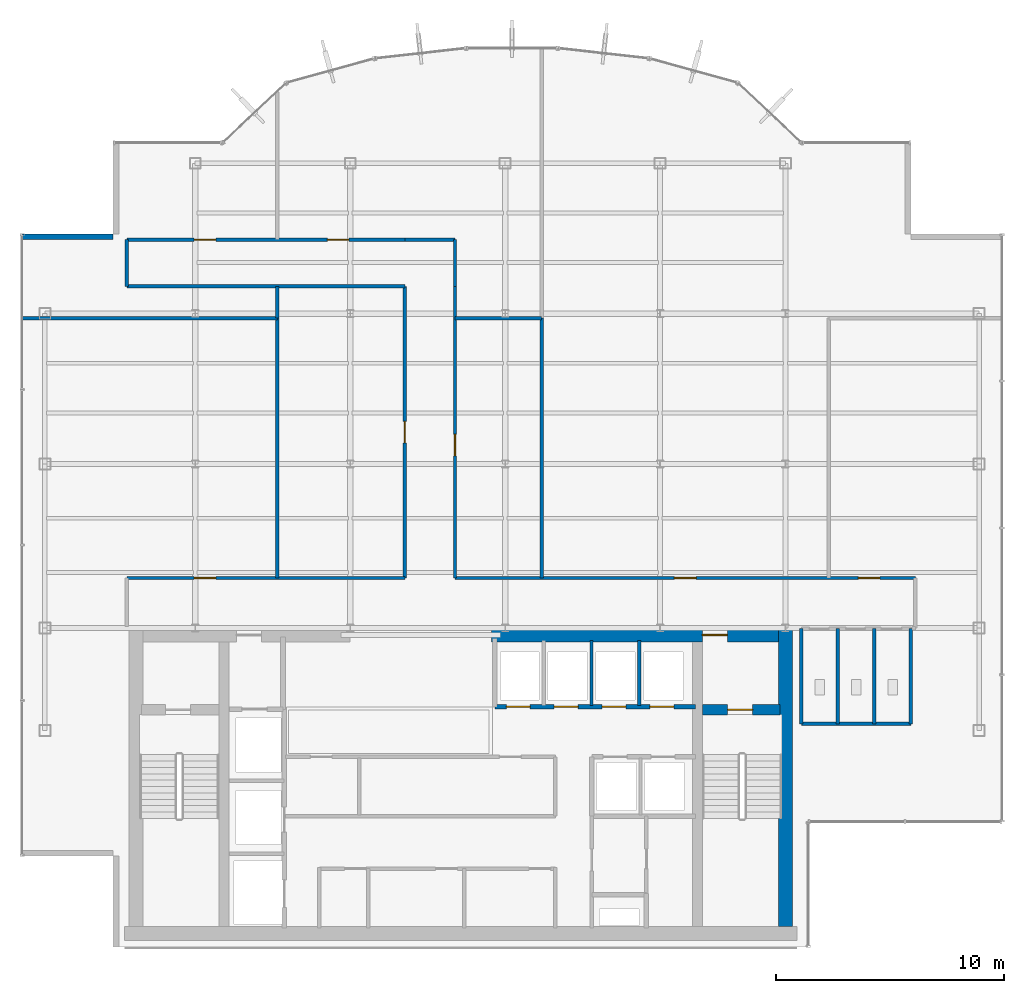
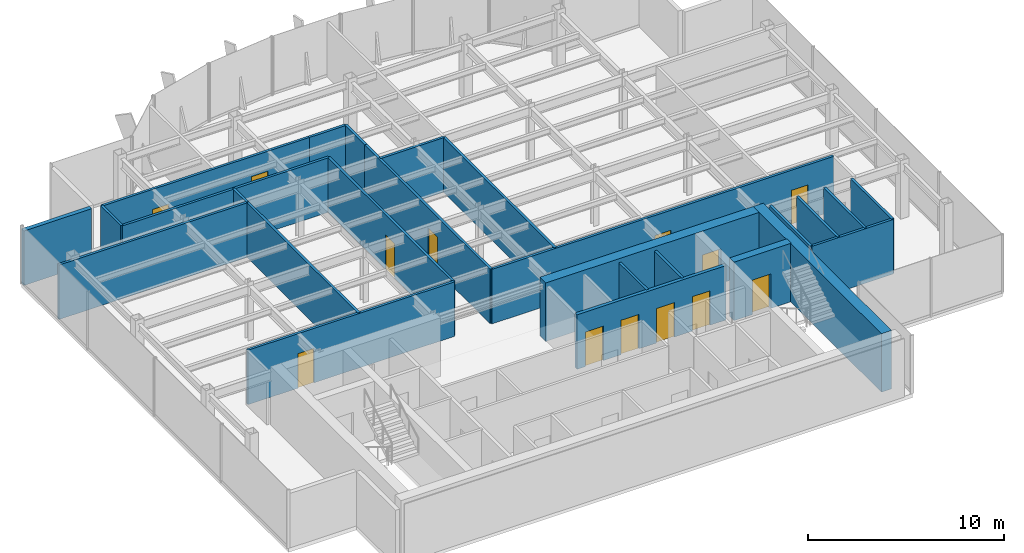
# One storey, part 18 of 22: 26 walls, 13 doors, 13 openings.
"""IFC4 building model written with IfcOpenShell, lengths in metres."""

from ifc_helpers import new_model, si_unit, derived_unit, direction, frame, frame_2d, origin, place, context, subcontext, project, spatial, rectangle, extrude, source, transform, mapped, material, layer, layer_set, type_object, element, fill, save


model = new_model("IFC4")

# Units and contexts
model_context = context("Model", 3, precision=1e-05, world=origin(), true_north=direction((0.0, 1.0)))
body_context = subcontext(model_context, "Body", "Model", "MODEL_VIEW")
ifc_project = project(units=[si_unit("LENGTHUNIT", "METRE"), si_unit("AREAUNIT", "SQUARE_METRE"), si_unit("VOLUMEUNIT", "CUBIC_METRE"), si_unit("PLANEANGLEUNIT", "RADIAN"), si_unit("MASSUNIT", "GRAM", prefix="KILO"), derived_unit("THERMALTRANSMITTANCEUNIT", [(si_unit("POWERUNIT", "WATT"), 1), (si_unit("LENGTHUNIT", "METRE"), -2), (si_unit("THERMODYNAMICTEMPERATUREUNIT", "KELVIN"), -1)])], contexts=[model_context])

# Site, building, storey
site_placement = place(None, origin())
site = spatial("IfcSite", under=ifc_project, at=site_placement, CompositionType="ELEMENT")
building_placement = place(site_placement, origin())
building = spatial("IfcBuilding", under=site, at=building_placement, Name="Skarnbrae Concourse Arena and Tower", CompositionType="ELEMENT")
storey_placement = place(building_placement, frame((0.0, 0.0, 192.25)))
storey = spatial("IfcBuildingStorey", under=building, at=storey_placement, Name="L49", CompositionType="ELEMENT", Elevation=192.25)

# Wall, opening, door
ifc_material_1 = material(Name="Concrete 50 MPa (C50/60)", Category="concrete")
ifc_layer_1 = layer(ifc_material_1, 0.449951171875)
ifc_layer_set_1 = layer_set([ifc_layer_1], Name="Concrete 50 MPa (C50/60)")
wall_type_1 = type_object("IfcWallType", Name="WALL-CORE-450-C50", PredefinedType="SHEAR", material=ifc_layer_set_1)
shared_shape_1 = source(origin(), body_context, "Body", "SweptSolid", [
    extrude(rectangle(XDim=3.389892578125, YDim=0.449951171875, at=frame_2d((1.69482421875, 0.0))), origin(), (0.0, 0.0, 1.0), 3.64990234375),
])
wall_1_placement = place(storey_placement, frame((29.860107421875, 10.419921875, 0.0), z_axis=(0.0, 0.0, 1.0), x_axis=(1.0, 0.0, 0.0)))
wall_1 = element("IfcWall", 1, at=wall_1_placement, inside=storey, type_object=wall_type_1, Name="L49 Rear core shear wall CW-ST2-N", PredefinedType="SHEAR", context=body_context, shape_type="MappedRepresentation", body=[
    mapped(shared_shape_1, transform((0.0, 0.0, 0.0))),
])
opening_1_placement = place(wall_1_placement, frame((1.10009765625, 0.0, 0.0)))
opening_1 = element("IfcOpeningElement", 2, at=opening_1_placement, cuts=wall_1, Name="Opening DT-03", PredefinedType="OPENING", context=body_context, shape_type="SweptSolid", body=[
    extrude(rectangle(XDim=1.10009765625, YDim=2.14990234375, at=frame_2d((0.550048828125, 1.074951171875))), frame((0.0, 0.23486328125, 0.0), z_axis=(0.0, -1.0, 0.0), x_axis=(1.0, 0.0, 0.0)), (0.0, 0.0, 1.0), 0.469970703125),
])
ifc_material_2 = material(Name="Steel CSA G40.21 350W", Category="steel")
door_type_1 = type_object("IfcDoorType", Name="DOOR-FIRE-1100-90M", OperationType="NOTDEFINED", PredefinedType="DOOR", material=ifc_material_2)
shared_shape_2 = source(origin(), body_context, "Body", "SweptSolid", [
    extrude(rectangle(XDim=1.10009765625, YDim=2.14990234375, at=frame_2d((0.550048828125, 1.074951171875))), frame((0.0, 0.02490234375, 0.0), z_axis=(0.0, -1.0, 0.0), x_axis=(1.0, 0.0, 0.0)), (0.0, 0.0, 1.0), 0.050048828125),
])
door_1_placement = place(opening_1_placement, frame((1.10009765625, 0.0, 0.0), z_axis=(0.0, 0.0, 1.0), x_axis=(-1.0, 0.0, 0.0)))
door_1 = element("IfcDoor", 3, at=door_1_placement, inside=storey, type_object=door_type_1, Name="D-1496 Stair ST-2 Door", OperationType="SINGLE_SWING_RIGHT", OverallHeight=2.14990234375, OverallWidth=1.10009765625, PredefinedType="DOOR", context=body_context, shape_type="MappedRepresentation", body=[
    mapped(shared_shape_2, transform((0.0, 0.0, 0.0))),
])
fill(opening_1, door_1)

# Wall
ifc_layer_2 = layer(ifc_material_1, 0.60009765625)
ifc_layer_set_2 = layer_set([ifc_layer_2], Name="Concrete 50 MPa (C50/60)")
wall_type_2 = type_object("IfcWallType", Name="WALL-CORE-600-C50", PredefinedType="SHEAR", material=ifc_layer_set_2)
shared_shape_3 = source(origin(), body_context, "Body", "SweptSolid", [
    extrude(rectangle(XDim=13.10009765625, YDim=0.60009765625, at=frame_2d((6.550048828125, 0.0))), origin(), (0.0, 0.0, 1.0), 3.64990234375),
])
wall_2_placement = place(storey_placement, frame((33.5, 0.89990234375, 0.0), z_axis=(0.0, 0.0, 1.0), x_axis=(0.0, 1.0, 0.0)))
element("IfcWall", 4, at=wall_2_placement, inside=storey, type_object=wall_type_2, Name="L49 Rear core shear wall CW-E", PredefinedType="SHEAR", context=body_context, shape_type="MappedRepresentation", body=[
    mapped(shared_shape_3, transform((0.0, 0.0, 0.0))),
])

# Wall, opening, door
shared_shape_4 = source(origin(), body_context, "Body", "SweptSolid", [
    extrude(rectangle(XDim=12.599853515625, YDim=0.60009765625, at=frame_2d((6.2998046875, 0.0))), origin(), (0.0, 0.0, 1.0), 3.64990234375),
])
wall_3_placement = place(storey_placement, frame((20.60009765625, 13.699951171875, 0.0), z_axis=(0.0, 0.0, 1.0), x_axis=(1.0, 0.0, 0.0)))
wall_3 = element("IfcWall", 5, at=wall_3_placement, inside=storey, type_object=wall_type_2, Name="L49 Rear core shear wall CW-NE", PredefinedType="SHEAR", context=body_context, shape_type="MappedRepresentation", body=[
    mapped(shared_shape_4, transform((0.0, 0.0, 0.0))),
])
opening_2_placement = place(wall_3_placement, frame((9.25, 0.0, 0.0)))
opening_2 = element("IfcOpeningElement", 6, at=opening_2_placement, cuts=wall_3, Name="Opening DT-03", PredefinedType="OPENING", context=body_context, shape_type="SweptSolid", body=[
    extrude(rectangle(XDim=1.10009765625, YDim=2.14990234375, at=frame_2d((0.550048828125, 1.074951171875))), frame((0.0, 0.31005859375, 0.0), z_axis=(0.0, -1.0, 0.0), x_axis=(1.0, 0.0, 0.0)), (0.0, 0.0, 1.0), 0.6201171875),
])
door_2_placement = place(opening_2_placement, origin())
door_2 = element("IfcDoor", 7, at=door_2_placement, inside=storey, type_object=door_type_1, Name="D-1498 Stair ST-2 Vestibule Door", OperationType="SINGLE_SWING_LEFT", OverallHeight=2.14990234375, OverallWidth=1.10009765625, PredefinedType="DOOR", context=body_context, shape_type="MappedRepresentation", body=[
    mapped(shared_shape_2, transform((0.0, 0.0, 0.0))),
])
fill(opening_2, door_2)

# Wall
ifc_material_3 = material(Name="Precast concrete 40 MPa (C40/50)", Category="concrete")
ifc_layer_3 = layer(ifc_material_3, 0.25)
ifc_layer_set_3 = layer_set([ifc_layer_3], Name="Precast concrete 40 MPa (C40/50)")
wall_type_3 = type_object("IfcWallType", Name="WALL-EXT-SPANDREL-250", PredefinedType="STANDARD", material=ifc_layer_set_3)
shared_shape_5 = source(origin(), body_context, "Body", "SweptSolid", [
    extrude(rectangle(XDim=4.0, YDim=0.25, at=frame_2d((2.0, 0.0))), origin(), (0.0, 0.0, 1.0), 3.39990234375),
])
wall_4_placement = place(storey_placement, frame((4.0, 31.175048828125, 0.0), z_axis=(0.0, 0.0, 1.0), x_axis=(-1.0, 0.0, 0.0)))
element("IfcWall", 8, at=wall_4_placement, inside=storey, type_object=wall_type_3, Name="L49 Notched corner insulated return wall 17", PredefinedType="STANDARD", context=body_context, shape_type="MappedRepresentation", body=[
    mapped(shared_shape_5, transform((0.0, 0.0, 0.0))),
])

# Wall, openings, doors
ifc_material_4 = material(Name="Gypsum board on cold-formed steel studs", Category="steel")
ifc_layer_4 = layer(ifc_material_4, 0.199951171875)
ifc_layer_set_4 = layer_set([ifc_layer_4], Name="Gypsum board on cold-formed steel studs")
wall_type_4 = type_object("IfcWallType", Name="WALL-PART-200-2HR", PredefinedType="PARTITIONING", material=ifc_layer_set_4)
shared_shape_6 = source(origin(), body_context, "Body", "SweptSolid", [
    extrude(rectangle(XDim=8.800048828125, YDim=0.199951171875, at=frame_2d((4.39990234375, 0.0))), origin(), (0.0, 0.0, 1.0), 3.39990234375),
])
wall_5_placement = place(storey_placement, frame((20.75, 10.550048828125, 0.0), z_axis=(0.0, 0.0, 1.0), x_axis=(1.0, 0.0, 0.0)))
wall_5 = element("IfcWall", 9, at=wall_5_placement, inside=storey, type_object=wall_type_4, Name="L49 Interior partition wall W-L49-B3N-S", PredefinedType="PARTITIONING", context=body_context, shape_type="MappedRepresentation", body=[
    mapped(shared_shape_6, transform((0.0, 0.0, 0.0))),
])
opening_3_placement = place(wall_5_placement, frame((0.5, 0.0, 0.0)))
opening_3 = element("IfcOpeningElement", 10, at=opening_3_placement, cuts=wall_5, Name="Opening LD-04", PredefinedType="OPENING", context=body_context, shape_type="SweptSolid", body=[
    extrude(rectangle(XDim=1.050048828125, YDim=2.14990234375, at=frame_2d((0.52490234375, 1.074951171875))), frame((0.0, 0.10986328125, 0.0), z_axis=(0.0, -1.0, 0.0), x_axis=(1.0, 0.0, 0.0)), (0.0, 0.0, 1.0), 0.219970703125),
])
opening_4_placement = place(wall_5_placement, frame((2.60009765625, 0.0, 0.0)))
opening_4 = element("IfcOpeningElement", 11, at=opening_4_placement, cuts=wall_5, Name="Opening LD-04", PredefinedType="OPENING", context=body_context, shape_type="SweptSolid", body=[
    extrude(rectangle(XDim=1.050048828125, YDim=2.14990234375, at=frame_2d((0.52490234375, 1.074951171875))), frame((0.0, 0.10986328125, 0.0), z_axis=(0.0, -1.0, 0.0), x_axis=(1.0, 0.0, 0.0)), (0.0, 0.0, 1.0), 0.219970703125),
])
opening_5_placement = place(wall_5_placement, frame((4.699951171875, 0.0, 0.0)))
opening_5 = element("IfcOpeningElement", 12, at=opening_5_placement, cuts=wall_5, Name="Opening LD-04", PredefinedType="OPENING", context=body_context, shape_type="SweptSolid", body=[
    extrude(rectangle(XDim=1.050048828125, YDim=2.14990234375, at=frame_2d((0.52490234375, 1.074951171875))), frame((0.0, 0.10986328125, 0.0), z_axis=(0.0, -1.0, 0.0), x_axis=(1.0, 0.0, 0.0)), (0.0, 0.0, 1.0), 0.219970703125),
])
opening_6_placement = place(wall_5_placement, frame((6.800048828125, 0.0, 0.0)))
opening_6 = element("IfcOpeningElement", 13, at=opening_6_placement, cuts=wall_5, Name="Opening LD-04", PredefinedType="OPENING", context=body_context, shape_type="SweptSolid", body=[
    extrude(rectangle(XDim=1.050048828125, YDim=2.14990234375, at=frame_2d((0.52490234375, 1.074951171875))), frame((0.0, 0.10986328125, 0.0), z_axis=(0.0, -1.0, 0.0), x_axis=(1.0, 0.0, 0.0)), (0.0, 0.0, 1.0), 0.219970703125),
])
ifc_material_5 = material(Name="Bronze anodised aluminium 6063-T6", Category="aluminium")
door_type_2 = type_object("IfcDoorType", Name="DOOR-LIFT-SLIDE-1050H", OperationType="SLIDING_TO_LEFT", PredefinedType="DOOR", material=ifc_material_5)
shared_shape_7 = source(origin(), body_context, "Body", "SweptSolid", [
    extrude(rectangle(XDim=1.050048828125, YDim=2.14990234375, at=frame_2d((0.52490234375, 1.074951171875))), frame((0.0, 0.02490234375, 0.0), z_axis=(0.0, -1.0, 0.0), x_axis=(1.0, 0.0, 0.0)), (0.0, 0.0, 1.0), 0.050048828125),
])
door_3_placement = place(opening_3_placement, frame((1.050048828125, 0.0, 0.0), z_axis=(0.0, 0.0, 1.0), x_axis=(-1.0, 0.0, 0.0)))
door_3 = element("IfcDoor", 14, at=door_3_placement, inside=storey, type_object=door_type_2, Name="D-1507 Passenger Lift Landing Door PL-3A", OperationType="SLIDING_TO_LEFT", OverallHeight=2.14990234375, OverallWidth=1.050048828125, PredefinedType="DOOR", context=body_context, shape_type="MappedRepresentation", body=[
    mapped(shared_shape_7, transform((0.0, 0.0, 0.0))),
])
fill(opening_3, door_3)
door_4_placement = place(opening_4_placement, frame((1.050048828125, 0.0, 0.0), z_axis=(0.0, 0.0, 1.0), x_axis=(-1.0, 0.0, 0.0)))
door_4 = element("IfcDoor", 15, at=door_4_placement, inside=storey, type_object=door_type_2, Name="D-1508 Passenger Lift Landing Door PL-3B", OperationType="SLIDING_TO_LEFT", OverallHeight=2.14990234375, OverallWidth=1.050048828125, PredefinedType="DOOR", context=body_context, shape_type="MappedRepresentation", body=[
    mapped(shared_shape_7, transform((0.0, 0.0, 0.0))),
])
fill(opening_4, door_4)
door_5_placement = place(opening_5_placement, frame((1.050048828125, 0.0, 0.0), z_axis=(0.0, 0.0, 1.0), x_axis=(-1.0, 0.0, 0.0)))
door_5 = element("IfcDoor", 16, at=door_5_placement, inside=storey, type_object=door_type_2, Name="D-1509 Passenger Lift Landing Door PL-3C", OperationType="SLIDING_TO_LEFT", OverallHeight=2.14990234375, OverallWidth=1.050048828125, PredefinedType="DOOR", context=body_context, shape_type="MappedRepresentation", body=[
    mapped(shared_shape_7, transform((0.0, 0.0, 0.0))),
])
fill(opening_5, door_5)
door_6_placement = place(opening_6_placement, frame((1.050048828125, 0.0, 0.0), z_axis=(0.0, 0.0, 1.0), x_axis=(-1.0, 0.0, 0.0)))
door_6 = element("IfcDoor", 17, at=door_6_placement, inside=storey, type_object=door_type_2, Name="D-1510 Passenger Lift Landing Door PL-3D", OperationType="SLIDING_TO_LEFT", OverallHeight=2.14990234375, OverallWidth=1.050048828125, PredefinedType="DOOR", context=body_context, shape_type="MappedRepresentation", body=[
    mapped(shared_shape_7, transform((0.0, 0.0, 0.0))),
])
fill(opening_6, door_6)

# Walls
ifc_layer_5 = layer(ifc_material_4, 0.14990234375)
ifc_layer_set_5 = layer_set([ifc_layer_5], Name="Gypsum board on cold-formed steel studs")
wall_type_5 = type_object("IfcWallType", Name="WALL-PART-150", PredefinedType="PARTITIONING", material=ifc_layer_set_5)
shared_shape_8 = source(origin(), body_context, "Body", "SweptSolid", [
    extrude(rectangle(XDim=2.849853515625, YDim=0.14990234375, at=frame_2d((1.4248046875, 0.0))), origin(), (0.0, 0.0, 1.0), 3.39990234375),
])
for number, where, z_axis, x_axis, name in (
    (18, (24.989990234375, 10.60009765625, 0.0), (0.0, 0.0, 1.0), (0.0, 1.0, 0.0), "L49 Interior partition wall W-L49-B3N-P2"),
    (19, (27.090087890625, 10.60009765625, 0.0), (0.0, 0.0, 1.0), (0.0, 1.0, 0.0), "L49 Interior partition wall W-L49-B3N-P3"),
):
    element("IfcWall", number, at=place(storey_placement, frame(where, z_axis=z_axis, x_axis=x_axis)), inside=storey, type_object=wall_type_5, Name=name, PredefinedType="PARTITIONING", context=body_context, shape_type="MappedRepresentation", body=[
        mapped(shared_shape_8, transform((0.0, 0.0, 0.0))),
    ])
shared_shape_9 = source(origin(), body_context, "Body", "SweptSolid", [
    extrude(rectangle(XDim=4.800048828125, YDim=0.14990234375, at=frame_2d((2.39990234375, 0.0))), origin(), (0.0, 0.0, 1.0), 3.39990234375),
])
wall_6_placement = place(storey_placement, frame((34.199951171875, 9.800048828125, 0.0), z_axis=(0.0, 0.0, 1.0), x_axis=(1.0, 0.0, 0.0)))
element("IfcWall", 20, at=wall_6_placement, inside=storey, type_object=wall_type_5, Name="L49 Interior partition wall W-L49-WC-S", PredefinedType="PARTITIONING", context=body_context, shape_type="MappedRepresentation", body=[
    mapped(shared_shape_9, transform((0.0, 0.0, 0.0))),
])
shared_shape_10 = source(origin(), body_context, "Body", "SweptSolid", [
    extrude(rectangle(XDim=4.179931640625, YDim=0.14990234375, at=frame_2d((2.08984375, 0.0))), origin(), (0.0, 0.0, 1.0), 3.39990234375),
])
for number, where, z_axis, x_axis, name in (
    (21, (39.0, 9.800048828125, 0.0), (0.0, 0.0, 1.0), (0.0, 1.0, 0.0), "L49 Interior partition wall W-L49-WC-E"),
    (22, (34.199951171875, 9.800048828125, 0.0), (0.0, 0.0, 1.0), (0.0, 1.0, 0.0), "L49 Interior partition wall W-L49-WC-W"),
    (23, (35.800048828125, 9.800048828125, 0.0), (0.0, 0.0, 1.0), (0.0, 1.0, 0.0), "L49 Interior partition wall W-L49-WC-D1"),
    (24, (37.39990234375, 9.800048828125, 0.0), (0.0, 0.0, 1.0), (0.0, 1.0, 0.0), "L49 Interior partition wall W-L49-WC-D2"),
):
    element("IfcWall", number, at=place(storey_placement, frame(where, z_axis=z_axis, x_axis=x_axis)), inside=storey, type_object=wall_type_5, Name=name, PredefinedType="PARTITIONING", context=body_context, shape_type="MappedRepresentation", body=[
        mapped(shared_shape_10, transform((0.0, 0.0, 0.0))),
    ])
ifc_layer_6 = layer(ifc_material_4, 0.14990234375)
ifc_layer_set_6 = layer_set([ifc_layer_6], Name="Gypsum board on cold-formed steel studs")
wall_type_6 = type_object("IfcWallType", Name="WALL-PART-150-1HR", PredefinedType="PARTITIONING", material=ifc_layer_set_6)
shared_shape_11 = source(origin(), body_context, "Body", "SweptSolid", [
    extrude(rectangle(XDim=2.050048828125, YDim=0.14990234375, at=frame_2d((1.02490234375, 0.0))), origin(), (0.0, 0.0, 1.0), 3.39990234375),
])
for number, where, z_axis, x_axis, name in (
    (25, (4.60009765625, 29.0, 0.0), (0.0, 0.0, 1.0), (0.0, 1.0, 0.0), "L49 Interior partition wall W-L49-COR-05"),
    (26, (19.0, 31.050048828125, 0.0), (0.0, 0.0, 1.0), (0.0, -1.0, 0.0), "L49 Interior partition wall W-L49-COR-08"),
):
    element("IfcWall", number, at=place(storey_placement, frame(where, z_axis=z_axis, x_axis=x_axis)), inside=storey, type_object=wall_type_6, Name=name, PredefinedType="PARTITIONING", context=body_context, shape_type="MappedRepresentation", body=[
        mapped(shared_shape_11, transform((0.0, 0.0, 0.0))),
    ])
shared_shape_12 = source(origin(), body_context, "Body", "SweptSolid", [
    extrude(rectangle(XDim=2.199951171875, YDim=0.14990234375, at=frame_2d((1.10009765625, 0.0))), origin(), (0.0, 0.0, 1.0), 3.39990234375),
])
wall_7_placement = place(storey_placement, frame((16.800048828125, 31.050048828125, 0.0), z_axis=(0.0, 0.0, 1.0), x_axis=(1.0, 0.0, 0.0)))
element("IfcWall", 27, at=wall_7_placement, inside=storey, type_object=wall_type_6, Name="L49 Interior partition wall W-L49-COR-07", PredefinedType="PARTITIONING", context=body_context, shape_type="MappedRepresentation", body=[
    mapped(shared_shape_12, transform((0.0, 0.0, 0.0))),
])

# Wall, opening, door
shared_shape_13 = source(origin(), body_context, "Body", "SweptSolid", [
    extrude(rectangle(XDim=12.199951171875, YDim=0.14990234375, at=frame_2d((6.10009765625, 0.0))), origin(), (0.0, 0.0, 1.0), 3.39990234375),
])
wall_8_placement = place(storey_placement, frame((4.60009765625, 16.199951171875, 0.0), z_axis=(0.0, 0.0, 1.0), x_axis=(1.0, 0.0, 0.0)))
wall_8 = element("IfcWall", 28, at=wall_8_placement, inside=storey, type_object=wall_type_6, Name="L49 Interior partition wall W-L49-COR-02", PredefinedType="PARTITIONING", context=body_context, shape_type="MappedRepresentation", body=[
    mapped(shared_shape_13, transform((0.0, 0.0, 0.0))),
])
opening_7_placement = place(wall_8_placement, frame((2.955078125, 0.0, 0.0)))
opening_7 = element("IfcOpeningElement", 29, at=opening_7_placement, cuts=wall_8, Name="Opening DT-04", PredefinedType="OPENING", context=body_context, shape_type="SweptSolid", body=[
    extrude(rectangle(XDim=0.949951171875, YDim=2.14990234375, at=frame_2d((0.47509765625, 1.074951171875))), frame((0.0, 0.0849609375, 0.0), z_axis=(0.0, -1.0, 0.0), x_axis=(1.0, 0.0, 0.0)), (0.0, 0.0, 1.0), 0.169921875),
])
door_type_3 = type_object("IfcDoorType", Name="DOOR-INT-950-45M", OperationType="NOTDEFINED", PredefinedType="DOOR", material=ifc_material_2)
shared_shape_14 = source(origin(), body_context, "Body", "SweptSolid", [
    extrude(rectangle(XDim=0.949951171875, YDim=2.14990234375, at=frame_2d((0.47509765625, 1.074951171875))), frame((0.0, 0.02490234375, 0.0), z_axis=(0.0, -1.0, 0.0), x_axis=(1.0, 0.0, 0.0)), (0.0, 0.0, 1.0), 0.050048828125),
])
door_7_placement = place(opening_7_placement, origin())
door_7 = element("IfcDoor", 30, at=door_7_placement, inside=storey, type_object=door_type_3, Name="D-1518 L49 Suite Door 01", OperationType="SINGLE_SWING_LEFT", OverallHeight=2.14990234375, OverallWidth=0.949951171875, PredefinedType="DOOR", context=body_context, shape_type="MappedRepresentation", body=[
    mapped(shared_shape_14, transform((0.0, 0.0, 0.0))),
])
fill(opening_7, door_7)

# Wall
wall_9_placement = place(storey_placement, frame((16.800048828125, 29.0, 0.0), z_axis=(0.0, 0.0, 1.0), x_axis=(-1.0, 0.0, 0.0)))
element("IfcWall", 31, at=wall_9_placement, inside=storey, type_object=wall_type_6, Name="L49 Interior partition wall W-L49-COR-04", PredefinedType="PARTITIONING", context=body_context, shape_type="MappedRepresentation", body=[
    mapped(shared_shape_13, transform((0.0, 0.0, 0.0))),
])

# Wall, openings, doors
wall_10_placement = place(storey_placement, frame((4.60009765625, 31.050048828125, 0.0), z_axis=(0.0, 0.0, 1.0), x_axis=(1.0, 0.0, 0.0)))
wall_10 = element("IfcWall", 32, at=wall_10_placement, inside=storey, type_object=wall_type_6, Name="L49 Interior partition wall W-L49-COR-06", PredefinedType="PARTITIONING", context=body_context, shape_type="MappedRepresentation", body=[
    mapped(shared_shape_13, transform((0.0, 0.0, 0.0))),
])
opening_8_placement = place(wall_10_placement, frame((2.955078125, 0.0, 0.0)))
opening_8 = element("IfcOpeningElement", 33, at=opening_8_placement, cuts=wall_10, Name="Opening DT-04", PredefinedType="OPENING", context=body_context, shape_type="SweptSolid", body=[
    extrude(rectangle(XDim=0.949951171875, YDim=2.14990234375, at=frame_2d((0.47509765625, 1.074951171875))), frame((0.0, 0.0849609375, 0.0), z_axis=(0.0, -1.0, 0.0), x_axis=(1.0, 0.0, 0.0)), (0.0, 0.0, 1.0), 0.169921875),
])
opening_9_placement = place(wall_10_placement, frame((8.794921875, 0.0, 0.0)))
opening_9 = element("IfcOpeningElement", 34, at=opening_9_placement, cuts=wall_10, Name="Opening DT-04", PredefinedType="OPENING", context=body_context, shape_type="SweptSolid", body=[
    extrude(rectangle(XDim=0.949951171875, YDim=2.14990234375, at=frame_2d((0.47509765625, 1.074951171875))), frame((0.0, 0.0849609375, 0.0), z_axis=(0.0, -1.0, 0.0), x_axis=(1.0, 0.0, 0.0)), (0.0, 0.0, 1.0), 0.169921875),
])
door_8_placement = place(opening_8_placement, origin())
door_8 = element("IfcDoor", 35, at=door_8_placement, inside=storey, type_object=door_type_3, Name="D-1519 L49 Suite Door 02", OperationType="SINGLE_SWING_RIGHT", OverallHeight=2.14990234375, OverallWidth=0.949951171875, PredefinedType="DOOR", context=body_context, shape_type="MappedRepresentation", body=[
    mapped(shared_shape_14, transform((0.0, 0.0, 0.0))),
])
fill(opening_8, door_8)
door_9_placement = place(opening_9_placement, origin())
door_9 = element("IfcDoor", 36, at=door_9_placement, inside=storey, type_object=door_type_3, Name="D-1521 L49 Suite Door 04", OperationType="SINGLE_SWING_RIGHT", OverallHeight=2.14990234375, OverallWidth=0.949951171875, PredefinedType="DOOR", context=body_context, shape_type="MappedRepresentation", body=[
    mapped(shared_shape_14, transform((0.0, 0.0, 0.0))),
])
fill(opening_9, door_9)

# Wall, opening, door
shared_shape_15 = source(origin(), body_context, "Body", "SweptSolid", [
    extrude(rectangle(XDim=12.800048828125, YDim=0.14990234375, at=frame_2d((6.39990234375, 0.0))), origin(), (0.0, 0.0, 1.0), 3.39990234375),
])
wall_11_placement = place(storey_placement, frame((16.800048828125, 16.199951171875, 0.0), z_axis=(0.0, 0.0, 1.0), x_axis=(0.0, 1.0, 0.0)))
wall_11 = element("IfcWall", 37, at=wall_11_placement, inside=storey, type_object=wall_type_6, Name="L49 Interior partition wall W-L49-COR-03", PredefinedType="PARTITIONING", context=body_context, shape_type="MappedRepresentation", body=[
    mapped(shared_shape_15, transform((0.0, 0.0, 0.0))),
])
opening_10_placement = place(wall_11_placement, frame((5.925048828125, 0.0, 0.0)))
opening_10 = element("IfcOpeningElement", 38, at=opening_10_placement, cuts=wall_11, Name="Opening DT-04", PredefinedType="OPENING", context=body_context, shape_type="SweptSolid", body=[
    extrude(rectangle(XDim=0.949951171875, YDim=2.14990234375, at=frame_2d((0.47509765625, 1.074951171875))), frame((0.0, 0.0849609375, 0.0), z_axis=(0.0, -1.0, 0.0), x_axis=(1.0, 0.0, 0.0)), (0.0, 0.0, 1.0), 0.169921875),
])
door_10_placement = place(opening_10_placement, origin())
door_10 = element("IfcDoor", 39, at=door_10_placement, inside=storey, type_object=door_type_3, Name="D-1520 L49 Suite Door 03", OperationType="SINGLE_SWING_LEFT", OverallHeight=2.14990234375, OverallWidth=0.949951171875, PredefinedType="DOOR", context=body_context, shape_type="MappedRepresentation", body=[
    mapped(shared_shape_14, transform((0.0, 0.0, 0.0))),
])
fill(opening_10, door_10)

wall_12_placement = place(storey_placement, frame((19.0, 29.0, 0.0), z_axis=(0.0, 0.0, 1.0), x_axis=(0.0, -1.0, 0.0)))
wall_12 = element("IfcWall", 40, at=wall_12_placement, inside=storey, type_object=wall_type_6, Name="L49 Interior partition wall W-L49-COR-09", PredefinedType="PARTITIONING", context=body_context, shape_type="MappedRepresentation", body=[
    mapped(shared_shape_15, transform((0.0, 0.0, 0.0))),
])
opening_11_placement = place(wall_12_placement, frame((6.4951171875, 0.0, 0.0)))
opening_11 = element("IfcOpeningElement", 41, at=opening_11_placement, cuts=wall_12, Name="Opening DT-04", PredefinedType="OPENING", context=body_context, shape_type="SweptSolid", body=[
    extrude(rectangle(XDim=0.949951171875, YDim=2.14990234375, at=frame_2d((0.47509765625, 1.074951171875))), frame((0.0, 0.0849609375, 0.0), z_axis=(0.0, -1.0, 0.0), x_axis=(1.0, 0.0, 0.0)), (0.0, 0.0, 1.0), 0.169921875),
])
door_11_placement = place(opening_11_placement, origin())
door_11 = element("IfcDoor", 42, at=door_11_placement, inside=storey, type_object=door_type_3, Name="D-1522 L49 Suite Door 05", OperationType="SINGLE_SWING_LEFT", OverallHeight=2.14990234375, OverallWidth=0.949951171875, PredefinedType="DOOR", context=body_context, shape_type="MappedRepresentation", body=[
    mapped(shared_shape_14, transform((0.0, 0.0, 0.0))),
])
fill(opening_11, door_11)

# Wall, openings, doors
shared_shape_16 = source(origin(), body_context, "Body", "SweptSolid", [
    extrude(rectangle(XDim=20.199951171875, YDim=0.14990234375, at=frame_2d((10.10009765625, 0.0))), origin(), (0.0, 0.0, 1.0), 3.39990234375),
])
wall_13_placement = place(storey_placement, frame((19.0, 16.199951171875, 0.0), z_axis=(0.0, 0.0, 1.0), x_axis=(1.0, 0.0, 0.0)))
wall_13 = element("IfcWall", 43, at=wall_13_placement, inside=storey, type_object=wall_type_6, Name="L49 Interior partition wall W-L49-COR-10", PredefinedType="PARTITIONING", context=body_context, shape_type="MappedRepresentation", body=[
    mapped(shared_shape_16, transform((0.0, 0.0, 0.0))),
])
opening_12_placement = place(wall_13_placement, frame((9.625, 0.0, 0.0)))
opening_12 = element("IfcOpeningElement", 44, at=opening_12_placement, cuts=wall_13, Name="Opening DT-04", PredefinedType="OPENING", context=body_context, shape_type="SweptSolid", body=[
    extrude(rectangle(XDim=0.949951171875, YDim=2.14990234375, at=frame_2d((0.47509765625, 1.074951171875))), frame((0.0, 0.0849609375, 0.0), z_axis=(0.0, -1.0, 0.0), x_axis=(1.0, 0.0, 0.0)), (0.0, 0.0, 1.0), 0.169921875),
])
opening_13_placement = place(wall_13_placement, frame((17.695068359375, 0.0, 0.0)))
opening_13 = element("IfcOpeningElement", 45, at=opening_13_placement, cuts=wall_13, Name="Opening DT-04", PredefinedType="OPENING", context=body_context, shape_type="SweptSolid", body=[
    extrude(rectangle(XDim=0.949951171875, YDim=2.14990234375, at=frame_2d((0.47509765625, 1.074951171875))), frame((0.0, 0.0849609375, 0.0), z_axis=(0.0, -1.0, 0.0), x_axis=(1.0, 0.0, 0.0)), (0.0, 0.0, 1.0), 0.169921875),
])
door_12_placement = place(opening_12_placement, origin())
door_12 = element("IfcDoor", 46, at=door_12_placement, inside=storey, type_object=door_type_3, Name="D-1523 L49 Suite Door 06", OperationType="SINGLE_SWING_RIGHT", OverallHeight=2.14990234375, OverallWidth=0.949951171875, PredefinedType="DOOR", context=body_context, shape_type="MappedRepresentation", body=[
    mapped(shared_shape_14, transform((0.0, 0.0, 0.0))),
])
fill(opening_12, door_12)
door_13_placement = place(opening_13_placement, origin())
door_13 = element("IfcDoor", 47, at=door_13_placement, inside=storey, type_object=door_type_3, Name="D-1524 L49 Suite Door 07", OperationType="SINGLE_SWING_LEFT", OverallHeight=2.14990234375, OverallWidth=0.949951171875, PredefinedType="DOOR", context=body_context, shape_type="MappedRepresentation", body=[
    mapped(shared_shape_14, transform((0.0, 0.0, 0.0))),
])
fill(opening_13, door_13)

# Walls
shared_shape_17 = source(origin(), body_context, "Body", "SweptSolid", [
    extrude(rectangle(XDim=11.179931640625, YDim=0.14990234375, at=frame_2d((5.58984375, 0.0))), origin(), (0.0, 0.0, 1.0), 3.39990234375),
])
wall_14_placement = place(storey_placement, frame((0.02001953125, 27.60009765625, 0.0), z_axis=(0.0, 0.0, 1.0), x_axis=(1.0, 0.0, 0.0)))
element("IfcWall", 48, at=wall_14_placement, inside=storey, type_object=wall_type_5, Name="L49 Interior partition wall W-L49-DEM-13", PredefinedType="PARTITIONING", context=body_context, shape_type="MappedRepresentation", body=[
    mapped(shared_shape_17, transform((0.0, 0.0, 0.0))),
])
shared_shape_18 = source(origin(), body_context, "Body", "SweptSolid", [
    extrude(rectangle(XDim=11.400146484375, YDim=0.14990234375, at=frame_2d((5.7001953125, 0.0))), origin(), (0.0, 0.0, 1.0), 3.39990234375),
])
for number, where, z_axis, x_axis, name in (
    (49, (11.199951171875, 27.60009765625, 0.0), (0.0, 0.0, 1.0), (0.0, -1.0, 0.0), "L49 Interior partition wall W-L49-DEM-14"),
    (50, (22.800048828125, 27.60009765625, 0.0), (0.0, 0.0, 1.0), (0.0, -1.0, 0.0), "L49 Interior partition wall W-L49-DEM-18"),
):
    element("IfcWall", number, at=place(storey_placement, frame(where, z_axis=z_axis, x_axis=x_axis)), inside=storey, type_object=wall_type_5, Name=name, PredefinedType="PARTITIONING", context=body_context, shape_type="MappedRepresentation", body=[
        mapped(shared_shape_18, transform((0.0, 0.0, 0.0))),
    ])
shared_shape_19 = source(origin(), body_context, "Body", "SweptSolid", [
    extrude(rectangle(XDim=1.39990234375, YDim=0.14990234375, at=frame_2d((0.699951171875, 0.0))), origin(), (0.0, 0.0, 1.0), 3.39990234375),
])
wall_15_placement = place(storey_placement, frame((11.199951171875, 29.0, 0.0), z_axis=(0.0, 0.0, 1.0), x_axis=(0.0, -1.0, 0.0)))
element("IfcWall", 51, at=wall_15_placement, inside=storey, type_object=wall_type_5, Name="L49 Interior partition wall W-L49-DEM-15", PredefinedType="PARTITIONING", context=body_context, shape_type="MappedRepresentation", body=[
    mapped(shared_shape_19, transform((0.0, 0.0, 0.0))),
])
shared_shape_20 = source(origin(), body_context, "Body", "SweptSolid", [
    extrude(rectangle(XDim=3.800048828125, YDim=0.14990234375, at=frame_2d((1.89990234375, 0.0))), origin(), (0.0, 0.0, 1.0), 3.39990234375),
])
wall_16_placement = place(storey_placement, frame((22.800048828125, 27.60009765625, 0.0), z_axis=(0.0, 0.0, 1.0), x_axis=(-1.0, 0.0, 0.0)))
element("IfcWall", 52, at=wall_16_placement, inside=storey, type_object=wall_type_5, Name="L49 Interior partition wall W-L49-DEM-17", PredefinedType="PARTITIONING", context=body_context, shape_type="MappedRepresentation", body=[
    mapped(shared_shape_20, transform((0.0, 0.0, 0.0))),
])

save(model, "model.ifc")
